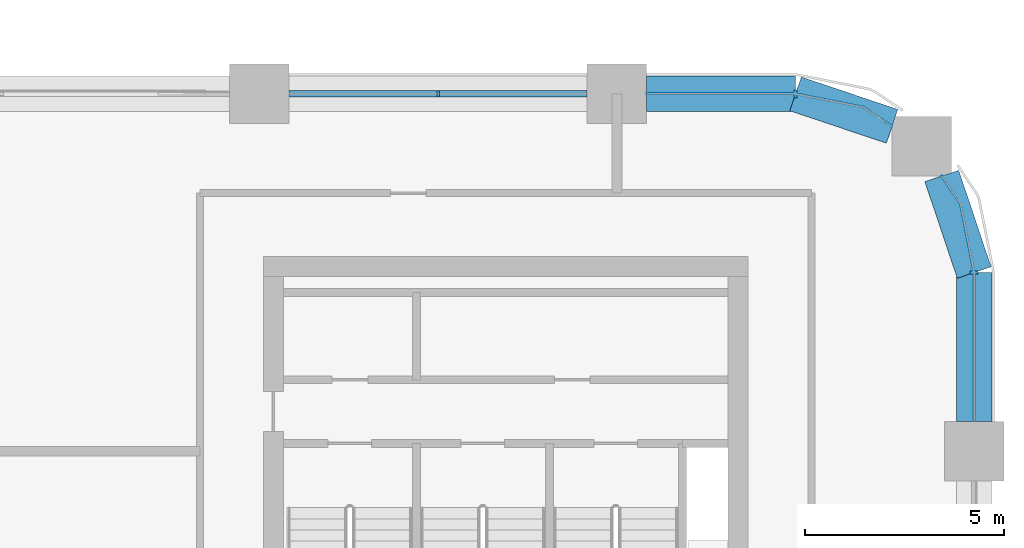
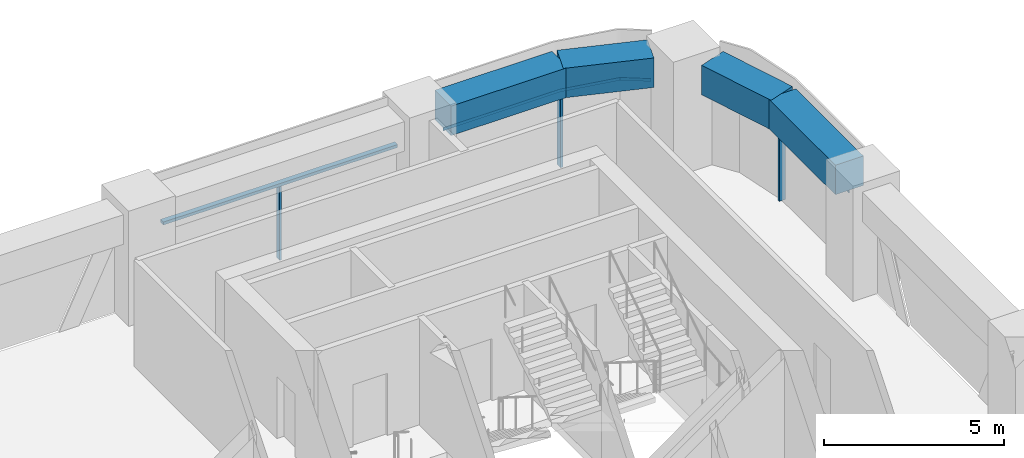
# One storey, part 6 of 14: 6 members, 4 beams, 3 elements without a shape of their own.
"""IFC4 building model written with IfcOpenShell, lengths in metres."""

from ifc_helpers import new_model, si_unit, direction, frame, origin, origin_2d, place, context, subcontext, project, spatial, polyline, rectangle, outline, extrude, material, material_profile, profile_set, type_object, element, aggregate, save


model = new_model("IFC4")

# Units and contexts
model_context = context("Model", 3, precision=1e-05, world=origin(), true_north=direction((0.0, 1.0)))
body_context = subcontext(model_context, "Body", "Model", "MODEL_VIEW")
ifc_project = project(units=[si_unit("LENGTHUNIT", "METRE"), si_unit("AREAUNIT", "SQUARE_METRE"), si_unit("VOLUMEUNIT", "CUBIC_METRE"), si_unit("PLANEANGLEUNIT", "RADIAN"), si_unit("MASSUNIT", "GRAM", prefix="KILO")], contexts=[model_context])

# Site, building, storey
site_placement = place(None, origin())
site = spatial("IfcSite", under=ifc_project, at=site_placement, CompositionType="ELEMENT")
building_placement = place(site_placement, origin())
building = spatial("IfcBuilding", under=site, at=building_placement, Name="Tessera Arch", CompositionType="ELEMENT")
storey_placement = place(building_placement, frame((0.0, 0.0, 177.800048828125)))
storey = spatial("IfcBuildingStorey", under=building, at=storey_placement, Name="L42", CompositionType="ELEMENT", Elevation=177.800048828125)

# Curtain wall, members
ifc_material_1 = material(Name="CW1 curtain wall")
curtain_wall_type_1 = type_object("IfcCurtainWallType", Name="CW1 curtain wall", PredefinedType="NOTDEFINED", material=ifc_material_1)
curtain_wall_1_placement = place(storey_placement, origin())
curtain_wall_1 = element("IfcCurtainWall", 1, at=curtain_wall_1_placement, inside=storey, type_object=curtain_wall_type_1, Name="CW1 curtain wall N54.0/1 L42", PredefinedType="NOTDEFINED")
ifc_material_2 = material(Name="Anodised aluminium pale metal", Category="aluminium")
ifc_material_profile_1 = material_profile(ifc_material_2, rectangle(XDim=0.159912109375, YDim=0.06005859375, at=origin_2d()), Name="AL 60x160")
ifc_profile_set_1 = profile_set([ifc_material_profile_1], Name="Anodised aluminium pale metal")
member_type_1 = type_object("IfcMemberType", Name="CW1 mullion", PredefinedType="MULLION", material=ifc_profile_set_1)
member_1_placement = place(storey_placement, frame((40.5, 54.0, 0.0), z_axis=(0.0, 0.0, 1.0), x_axis=(0.0, -1.0, 0.0)))
member_1 = element("IfcMember", 2, at=member_1_placement, type_object=member_type_1, Name="CW1 mullion N54.0/1 1", PredefinedType="MULLION", context=body_context, shape_type="SweptSolid", body=[
    extrude(rectangle(XDim=0.159912109375, YDim=0.06005859375, at=origin_2d()), origin(), (0.0, 0.0, 1.0), 2.5),
])
ifc_material_3 = material(Name="Anodised aluminium pale metal", Category="aluminium")
ifc_material_profile_2 = material_profile(ifc_material_3, rectangle(XDim=0.159912109375, YDim=0.10009765625, at=origin_2d()), Name="AL 160x100")
ifc_profile_set_2 = profile_set([ifc_material_profile_2], Name="Anodised aluminium pale metal")
member_type_2 = type_object("IfcMemberType", Name="CW1 transom", PredefinedType="USERDEFINED", material=ifc_profile_set_2)
member_2_placement = place(storey_placement, frame((44.25, 54.0, 2.550048828125), z_axis=(-1.0, 0.0, 0.0), x_axis=(0.0, -1.0, 0.0)))
member_2 = element("IfcMember", 3, at=member_2_placement, type_object=member_type_2, Name="CW1 transom N54.0/1 1.1", ObjectType="TRANSOM", PredefinedType="USERDEFINED", context=body_context, shape_type="SweptSolid", body=[
    extrude(rectangle(XDim=0.159912109375, YDim=0.10009765625, at=origin_2d()), origin(), (0.0, 0.0, 1.0), 7.5),
])
aggregate(curtain_wall_1, [member_1, member_2])

# Curtain wall, member
ifc_material_4 = material(Name="CW2 curtain wall")
curtain_wall_type_2 = type_object("IfcCurtainWallType", Name="CW2 curtain wall", PredefinedType="NOTDEFINED", material=ifc_material_4)
curtain_wall_2_placement = place(storey_placement, origin())
curtain_wall_2 = element("IfcCurtainWall", 4, at=curtain_wall_2_placement, inside=storey, type_object=curtain_wall_type_2, Name="CW2 curtain wall E54.27/1 L42", PredefinedType="NOTDEFINED")
ifc_material_5 = material(Name="Anodised aluminium pale metal", Category="aluminium")
ifc_material_profile_3 = material_profile(ifc_material_5, rectangle(XDim=0.199951171875, YDim=0.080078125, at=origin_2d()), Name="AL 80x200")
ifc_profile_set_3 = profile_set([ifc_material_profile_3], Name="Anodised aluminium pale metal")
member_type_3 = type_object("IfcMemberType", Name="CW2 mullion", PredefinedType="MULLION", material=ifc_profile_set_3)
member_3_placement = place(storey_placement, frame((54.0, 49.5, 0.0), z_axis=(0.0, 0.0, 1.0), x_axis=(-1.0, 0.0, 0.0)))
member_3 = element("IfcMember", 5, at=member_3_placement, type_object=member_type_3, Name="CW2 mullion E54.27/1 1", PredefinedType="MULLION", context=body_context, shape_type="SweptSolid", body=[
    extrude(rectangle(XDim=0.199951171875, YDim=0.080078125, at=origin_2d()), origin(), (0.0, 0.0, 1.0), 2.5),
])

curtain_wall_3_placement = place(storey_placement, origin())
curtain_wall_3 = element("IfcCurtainWall", 6, at=curtain_wall_3_placement, inside=storey, type_object=curtain_wall_type_2, Name="CW2 curtain wall N54.0/0 L42", PredefinedType="NOTDEFINED")
member_4_placement = place(storey_placement, frame((49.5, 54.0, 0.0), z_axis=(0.0, 0.0, 1.0), x_axis=(0.0, -1.0, 0.0)))
member_4 = element("IfcMember", 7, at=member_4_placement, type_object=member_type_3, Name="CW2 mullion N54.0/0 1", PredefinedType="MULLION", context=body_context, shape_type="SweptSolid", body=[
    extrude(rectangle(XDim=0.199951171875, YDim=0.080078125, at=origin_2d()), origin(), (0.0, 0.0, 1.0), 2.5),
])

# Member
ifc_material_6 = material(Name="Anodised aluminium pale metal", Category="aluminium")
ifc_material_profile_4 = material_profile(ifc_material_6, rectangle(XDim=0.199951171875, YDim=0.10009765625, at=origin_2d()), Name="AL 200x100")
ifc_profile_set_4 = profile_set([ifc_material_profile_4], Name="Anodised aluminium pale metal")
member_type_4 = type_object("IfcMemberType", Name="CW2 transom", PredefinedType="USERDEFINED", material=ifc_profile_set_4)
member_5_placement = place(storey_placement, frame((0.0, 0.0, 2.5)))
member_5 = element("IfcMember", 8, at=member_5_placement, type_object=member_type_4, Name="CW2 transom E54.27/1 1", ObjectType="TRANSOM", PredefinedType="USERDEFINED", context=body_context, shape_type="SweptSolid", body=[
    extrude(outline(polyline([(53.989990234375, 49.4990234375), (53.989990234375, 45.75), (54.010009765625, 45.75), (54.010009765625, 49.5009765625), (53.6669921875, 51.22607421875), (53.19140625, 51.9375), (53.1748046875, 51.926513671875), (53.648193359375, 51.21826171875), (53.989990234375, 49.4990234375)])), origin(), (0.0, 0.0, 1.0), 0.099853515625),
])

aggregate(curtain_wall_2, [member_3, member_5])

member_6_placement = place(storey_placement, frame((0.0, 0.0, 2.5)))
member_6 = element("IfcMember", 9, at=member_6_placement, type_object=member_type_4, Name="CW2 transom N54.0/0 1", ObjectType="TRANSOM", PredefinedType="USERDEFINED", context=body_context, shape_type="SweptSolid", body=[
    extrude(outline(polyline([(51.21826171875, 53.648193359375), (51.926513671875, 53.1748046875), (51.9375, 53.19140625), (51.22607421875, 53.6669921875), (49.5009765625, 54.010009765625), (45.75, 54.010009765625), (45.75, 53.989990234375), (49.4990234375, 53.989990234375), (51.21826171875, 53.648193359375)])), origin(), (0.0, 0.0, 1.0), 0.099853515625),
])

aggregate(curtain_wall_3, [member_4, member_6])

# Beams
ifc_material_7 = material(Name="Concrete C70/85", Category="concrete")
ifc_material_profile_5 = material_profile(ifc_material_7, rectangle(XDim=0.89990234375, YDim=1.0, at=origin_2d()), Name="RC spandrel beam 900 x 1000 Concrete C70/85")
ifc_profile_set_5 = profile_set([ifc_material_profile_5], Name="Concrete C70/85")
beam_type = type_object("IfcBeamType", Name="RC spandrel beam 900 x 1000 Concrete C70/85", PredefinedType="BEAM", material=ifc_profile_set_5)
beam_1_placement = place(storey_placement, frame((54.0, 45.75, 3.099853515625), z_axis=(0.0, 1.0, 0.0), x_axis=(-1.0, 0.0, 0.0)))
element("IfcBeam", 10, at=beam_1_placement, inside=storey, type_object=beam_type, Name="Spandrel beam L42 E54.27/1.1", PredefinedType="BEAM", context=body_context, shape_type="SweptSolid", body=[
    extrude(rectangle(XDim=0.89990234375, YDim=1.0, at=origin_2d()), origin(), (0.0, 0.0, 1.0), 3.75),
])
for number, where, z_axis, x_axis, name in (
    (11, (54.0, 49.5, 3.099853515625), (-0.31842525032, 0.947947973234, 0.0), (-0.947947973234, -0.31842525032, 0.0), "Spandrel beam L42 E54.27/1.2"),
    (12, (51.931884765625, 53.18310546875, 3.099853515625), (-0.947947973234, 0.31842525032, 0.0), (-0.31842525032, -0.947947973234, 0.0), "Spandrel beam L42 N54.0/0.1"),
):
    element("IfcBeam", number, at=place(storey_placement, frame(where, z_axis=z_axis, x_axis=x_axis)), inside=storey, type_object=beam_type, Name=name, PredefinedType="BEAM", context=body_context, shape_type="SweptSolid", body=[
        extrude(rectangle(XDim=0.89990234375, YDim=1.0, at=origin_2d()), origin(), (0.0, 0.0, 1.0), 2.5654296875),
    ])
beam_2_placement = place(storey_placement, frame((49.5, 54.0, 3.099853515625), z_axis=(-1.0, 0.0, 0.0), x_axis=(0.0, -1.0, 0.0)))
element("IfcBeam", 13, at=beam_2_placement, inside=storey, type_object=beam_type, Name="Spandrel beam L42 N54.0/0.2", PredefinedType="BEAM", context=body_context, shape_type="SweptSolid", body=[
    extrude(rectangle(XDim=0.89990234375, YDim=1.0, at=origin_2d()), origin(), (0.0, 0.0, 1.0), 3.75),
])

save(model, "model.ifc")
